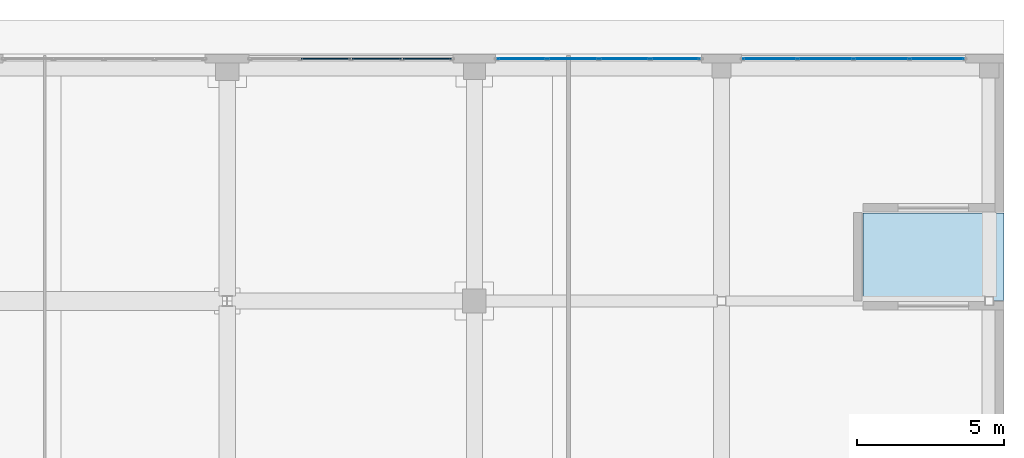
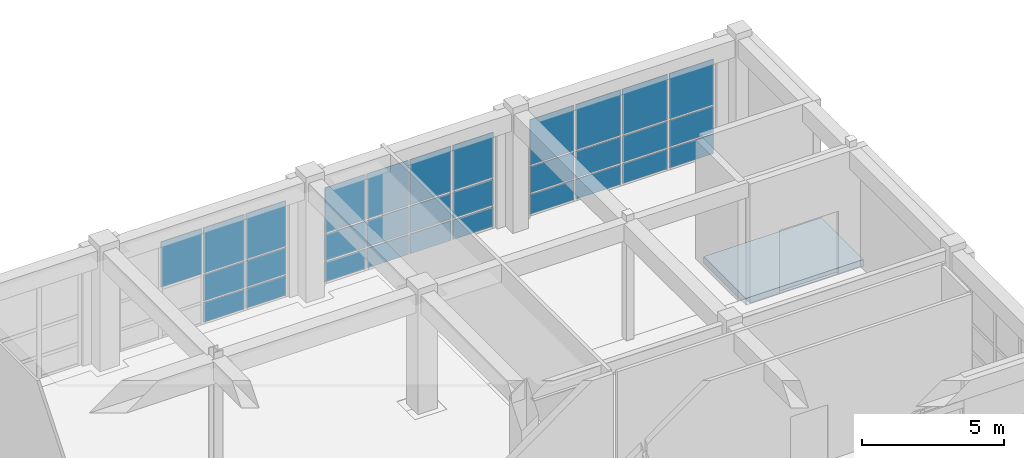
# One storey, part 123 of 148: 31 plates, 1 slab, 3 elements without a shape of their own.
"""IFC4 building model written with IfcOpenShell, lengths in metres."""

from ifc_helpers import new_model, si_unit, direction, frame, origin, origin_2d, place, context, subcontext, project, spatial, polyline, rectangle, outline, extrude, material, layer, layer_set, type_object, element, aggregate, save


model = new_model("IFC4")

# Units and contexts
model_context = context("Model", 3, precision=1e-05, world=origin(), true_north=direction((0.0, 1.0)))
body_context = subcontext(model_context, "Body", "Model", "MODEL_VIEW")
ifc_project = project(units=[si_unit("LENGTHUNIT", "METRE"), si_unit("AREAUNIT", "SQUARE_METRE"), si_unit("VOLUMEUNIT", "CUBIC_METRE"), si_unit("PLANEANGLEUNIT", "RADIAN"), si_unit("MASSUNIT", "GRAM", prefix="KILO")], contexts=[model_context])

# Site, building, storey
site_placement = place(None, origin())
site = spatial("IfcSite", under=ifc_project, at=site_placement, CompositionType="ELEMENT")
building_placement = place(site_placement, origin())
building = spatial("IfcBuilding", under=site, at=building_placement, Name="Quendrovan Civic Courthouse", CompositionType="ELEMENT")
storey_placement = place(building_placement, origin())
storey = spatial("IfcBuildingStorey", under=building, at=storey_placement, Name="L01", CompositionType="ELEMENT", Elevation=0.0)

# Curtain wall, plates
ifc_material_1 = material(Name="Bronze anodised aluminium and low-E glass", Category="aluminium")
ifc_layer_1 = layer(ifc_material_1, 0.179931640625, Name="Bronze anodised aluminium and low-E glass")
ifc_layer_set_1 = layer_set([ifc_layer_1], Name="Bronze anodised aluminium and low-E glass")
curtain_wall_type_1 = type_object("IfcCurtainWallType", Name="CW-U70x42", PredefinedType="USERDEFINED", material=ifc_layer_set_1)
curtain_wall_1_placement = place(storey_placement, origin())
curtain_wall_1 = element("IfcCurtainWall", 1, at=curtain_wall_1_placement, inside=storey, type_object=curtain_wall_type_1, Name="L01 Unitised Hurricane Curtain Wall CW-040", ObjectType="UNITISED CURTAIN WALL", PredefinedType="USERDEFINED")
ifc_material_2 = material(Name="Laminated hurricane-impact low-E glass", Category="glass")
ifc_layer_2 = layer(ifc_material_2, 0.028076171875, Name="Laminated hurricane-impact low-E glass")
ifc_layer_set_2 = layer_set([ifc_layer_2], Name="Laminated hurricane-impact low-E glass")
plate_type_1 = type_object("IfcPlateType", Name="CW-PNL-1", PredefinedType="CURTAIN_PANEL", material=ifc_layer_set_2)
plate_1_placement = place(storey_placement, frame((144.41748046875, 110.235107421875, 0.06982421875), z_axis=(0.0, 0.0, 1.0), x_axis=(1.0, 0.0, 0.0)))
plate_1 = element("IfcPlate", 2, at=plate_1_placement, type_object=plate_type_1, Name="CW-040 panel 1.1", PredefinedType="CURTAIN_PANEL", context=body_context, shape_type="SweptSolid", body=[
    extrude(rectangle(XDim=1.64501953125, YDim=0.028076171875, at=origin_2d()), origin(), (0.0, 0.0, 1.0), 0.844970703125),
])
plate_2_placement = place(storey_placement, frame((144.41748046875, 110.235107421875, 0.985107421875), z_axis=(0.0, 0.0, 1.0), x_axis=(1.0, 0.0, 0.0)))
plate_2 = element("IfcPlate", 3, at=plate_2_placement, type_object=plate_type_1, Name="CW-040 panel 1.2", PredefinedType="CURTAIN_PANEL", context=body_context, shape_type="SweptSolid", body=[
    extrude(rectangle(XDim=1.64501953125, YDim=0.028076171875, at=origin_2d()), origin(), (0.0, 0.0, 1.0), 1.1298828125),
])
plate_3_placement = place(storey_placement, frame((144.41748046875, 110.235107421875, 2.18505859375), z_axis=(0.0, 0.0, 1.0), x_axis=(1.0, 0.0, 0.0)))
plate_3 = element("IfcPlate", 4, at=plate_3_placement, type_object=plate_type_1, Name="CW-040 panel 1.3", PredefinedType="CURTAIN_PANEL", context=body_context, shape_type="SweptSolid", body=[
    extrude(rectangle(XDim=1.64501953125, YDim=0.028076171875, at=origin_2d()), origin(), (0.0, 0.0, 1.0), 1.945068359375),
])
plate_4_placement = place(storey_placement, frame((146.14990234375, 110.235107421875, 0.06982421875), z_axis=(0.0, 0.0, 1.0), x_axis=(1.0, 0.0, 0.0)))
plate_4 = element("IfcPlate", 5, at=plate_4_placement, type_object=plate_type_1, Name="CW-040 panel 2.1", PredefinedType="CURTAIN_PANEL", context=body_context, shape_type="SweptSolid", body=[
    extrude(rectangle(XDim=1.679931640625, YDim=0.028076171875, at=origin_2d()), origin(), (0.0, 0.0, 1.0), 0.844970703125),
])
plate_5_placement = place(storey_placement, frame((146.14990234375, 110.235107421875, 0.985107421875), z_axis=(0.0, 0.0, 1.0), x_axis=(1.0, 0.0, 0.0)))
plate_5 = element("IfcPlate", 6, at=plate_5_placement, type_object=plate_type_1, Name="CW-040 panel 2.2", PredefinedType="CURTAIN_PANEL", context=body_context, shape_type="SweptSolid", body=[
    extrude(rectangle(XDim=1.679931640625, YDim=0.028076171875, at=origin_2d()), origin(), (0.0, 0.0, 1.0), 1.1298828125),
])
plate_6_placement = place(storey_placement, frame((146.14990234375, 110.235107421875, 2.18505859375), z_axis=(0.0, 0.0, 1.0), x_axis=(1.0, 0.0, 0.0)))
plate_6 = element("IfcPlate", 7, at=plate_6_placement, type_object=plate_type_1, Name="CW-040 panel 2.3", PredefinedType="CURTAIN_PANEL", context=body_context, shape_type="SweptSolid", body=[
    extrude(rectangle(XDim=1.679931640625, YDim=0.028076171875, at=origin_2d()), origin(), (0.0, 0.0, 1.0), 1.945068359375),
])
plate_7_placement = place(storey_placement, frame((147.89990234375, 110.235107421875, 0.06982421875), z_axis=(0.0, 0.0, 1.0), x_axis=(1.0, 0.0, 0.0)))
plate_7 = element("IfcPlate", 8, at=plate_7_placement, type_object=plate_type_1, Name="CW-040 panel 3.1", PredefinedType="CURTAIN_PANEL", context=body_context, shape_type="SweptSolid", body=[
    extrude(rectangle(XDim=1.679931640625, YDim=0.028076171875, at=origin_2d()), origin(), (0.0, 0.0, 1.0), 0.844970703125),
])
plate_8_placement = place(storey_placement, frame((147.89990234375, 110.235107421875, 0.985107421875), z_axis=(0.0, 0.0, 1.0), x_axis=(1.0, 0.0, 0.0)))
plate_8 = element("IfcPlate", 9, at=plate_8_placement, type_object=plate_type_1, Name="CW-040 panel 3.2", PredefinedType="CURTAIN_PANEL", context=body_context, shape_type="SweptSolid", body=[
    extrude(rectangle(XDim=1.679931640625, YDim=0.028076171875, at=origin_2d()), origin(), (0.0, 0.0, 1.0), 1.1298828125),
])
plate_9_placement = place(storey_placement, frame((147.89990234375, 110.235107421875, 2.18505859375), z_axis=(0.0, 0.0, 1.0), x_axis=(1.0, 0.0, 0.0)))
plate_9 = element("IfcPlate", 10, at=plate_9_placement, type_object=plate_type_1, Name="CW-040 panel 3.3", PredefinedType="CURTAIN_PANEL", context=body_context, shape_type="SweptSolid", body=[
    extrude(rectangle(XDim=1.679931640625, YDim=0.028076171875, at=origin_2d()), origin(), (0.0, 0.0, 1.0), 1.945068359375),
])
plate_10_placement = place(storey_placement, frame((149.632568359375, 110.235107421875, 0.06982421875), z_axis=(0.0, 0.0, 1.0), x_axis=(1.0, 0.0, 0.0)))
plate_10 = element("IfcPlate", 11, at=plate_10_placement, type_object=plate_type_1, Name="CW-040 panel 4.1", PredefinedType="CURTAIN_PANEL", context=body_context, shape_type="SweptSolid", body=[
    extrude(rectangle(XDim=1.64501953125, YDim=0.028076171875, at=origin_2d()), origin(), (0.0, 0.0, 1.0), 0.844970703125),
])
plate_11_placement = place(storey_placement, frame((149.632568359375, 110.235107421875, 0.985107421875), z_axis=(0.0, 0.0, 1.0), x_axis=(1.0, 0.0, 0.0)))
plate_11 = element("IfcPlate", 12, at=plate_11_placement, type_object=plate_type_1, Name="CW-040 panel 4.2", PredefinedType="CURTAIN_PANEL", context=body_context, shape_type="SweptSolid", body=[
    extrude(rectangle(XDim=1.64501953125, YDim=0.028076171875, at=origin_2d()), origin(), (0.0, 0.0, 1.0), 1.1298828125),
])
plate_12_placement = place(storey_placement, frame((149.632568359375, 110.235107421875, 2.18505859375), z_axis=(0.0, 0.0, 1.0), x_axis=(1.0, 0.0, 0.0)))
plate_12 = element("IfcPlate", 13, at=plate_12_placement, type_object=plate_type_1, Name="CW-040 panel 4.3", PredefinedType="CURTAIN_PANEL", context=body_context, shape_type="SweptSolid", body=[
    extrude(rectangle(XDim=1.64501953125, YDim=0.028076171875, at=origin_2d()), origin(), (0.0, 0.0, 1.0), 1.945068359375),
])
aggregate(curtain_wall_1, [plate_1, plate_2, plate_3, plate_4, plate_5, plate_6, plate_7, plate_8, plate_9, plate_10, plate_11, plate_12])

ifc_layer_3 = layer(ifc_material_1, 0.179931640625, Name="Bronze anodised aluminium and low-E glass")
ifc_layer_set_3 = layer_set([ifc_layer_3], Name="Bronze anodised aluminium and low-E glass")
curtain_wall_type_2 = type_object("IfcCurtainWallType", Name="CW-U76x42", PredefinedType="USERDEFINED", material=ifc_layer_set_3)
curtain_wall_2_placement = place(storey_placement, origin())
curtain_wall_2 = element("IfcCurtainWall", 14, at=curtain_wall_2_placement, inside=storey, type_object=curtain_wall_type_2, Name="L01 Unitised Hurricane Curtain Wall CW-041", ObjectType="UNITISED CURTAIN WALL", PredefinedType="USERDEFINED")
ifc_layer_4 = layer(ifc_material_2, 0.031982421875, Name="Laminated hurricane-impact low-E glass")
ifc_layer_set_4 = layer_set([ifc_layer_4], Name="Laminated hurricane-impact low-E glass")
plate_type_2 = type_object("IfcPlateType", Name="CW-PNL-2", PredefinedType="CURTAIN_PANEL", material=ifc_layer_set_4)
plate_13_placement = place(storey_placement, frame((152.844482421875, 110.235107421875, 0.06494140625), z_axis=(0.0, 0.0, 1.0), x_axis=(1.0, 0.0, 0.0)))
plate_13 = element("IfcPlate", 15, at=plate_13_placement, type_object=plate_type_2, Name="CW-041 panel 1.1", PredefinedType="CURTAIN_PANEL", context=body_context, shape_type="SweptSolid", body=[
    extrude(rectangle(XDim=1.808837890625, YDim=0.031982421875, at=origin_2d()), origin(), (0.0, 0.0, 1.0), 0.8525390625),
])
plate_14_placement = place(storey_placement, frame((152.844482421875, 110.235107421875, 0.982421875), z_axis=(0.0, 0.0, 1.0), x_axis=(1.0, 0.0, 0.0)))
plate_14 = element("IfcPlate", 16, at=plate_14_placement, type_object=plate_type_2, Name="CW-041 panel 1.2", PredefinedType="CURTAIN_PANEL", context=body_context, shape_type="SweptSolid", body=[
    extrude(rectangle(XDim=1.808837890625, YDim=0.031982421875, at=origin_2d()), origin(), (0.0, 0.0, 1.0), 1.135009765625),
])
plate_15_placement = place(storey_placement, frame((152.844482421875, 110.235107421875, 2.1826171875), z_axis=(0.0, 0.0, 1.0), x_axis=(1.0, 0.0, 0.0)))
plate_15 = element("IfcPlate", 17, at=plate_15_placement, type_object=plate_type_2, Name="CW-041 panel 1.3", PredefinedType="CURTAIN_PANEL", context=body_context, shape_type="SweptSolid", body=[
    extrude(rectangle(XDim=1.808837890625, YDim=0.031982421875, at=origin_2d()), origin(), (0.0, 0.0, 1.0), 1.952392578125),
])
plate_16_placement = place(storey_placement, frame((154.734375, 110.235107421875, 0.06494140625), z_axis=(0.0, 0.0, 1.0), x_axis=(1.0, 0.0, 0.0)))
plate_16 = element("IfcPlate", 18, at=plate_16_placement, type_object=plate_type_2, Name="CW-041 panel 2.1", PredefinedType="CURTAIN_PANEL", context=body_context, shape_type="SweptSolid", body=[
    extrude(rectangle(XDim=1.84130859375, YDim=0.031982421875, at=origin_2d()), origin(), (0.0, 0.0, 1.0), 0.8525390625),
])
plate_17_placement = place(storey_placement, frame((154.734375, 110.235107421875, 0.982421875), z_axis=(0.0, 0.0, 1.0), x_axis=(1.0, 0.0, 0.0)))
plate_17 = element("IfcPlate", 19, at=plate_17_placement, type_object=plate_type_2, Name="CW-041 panel 2.2", PredefinedType="CURTAIN_PANEL", context=body_context, shape_type="SweptSolid", body=[
    extrude(rectangle(XDim=1.84130859375, YDim=0.031982421875, at=origin_2d()), origin(), (0.0, 0.0, 1.0), 1.135009765625),
])
plate_18_placement = place(storey_placement, frame((154.734375, 110.235107421875, 2.1826171875), z_axis=(0.0, 0.0, 1.0), x_axis=(1.0, 0.0, 0.0)))
plate_18 = element("IfcPlate", 20, at=plate_18_placement, type_object=plate_type_2, Name="CW-041 panel 2.3", PredefinedType="CURTAIN_PANEL", context=body_context, shape_type="SweptSolid", body=[
    extrude(rectangle(XDim=1.84130859375, YDim=0.031982421875, at=origin_2d()), origin(), (0.0, 0.0, 1.0), 1.952392578125),
])
plate_19_placement = place(storey_placement, frame((156.640625, 110.235107421875, 0.06494140625), z_axis=(0.0, 0.0, 1.0), x_axis=(1.0, 0.0, 0.0)))
plate_19 = element("IfcPlate", 21, at=plate_19_placement, type_object=plate_type_2, Name="CW-041 panel 3.1", PredefinedType="CURTAIN_PANEL", context=body_context, shape_type="SweptSolid", body=[
    extrude(rectangle(XDim=1.84130859375, YDim=0.031982421875, at=origin_2d()), origin(), (0.0, 0.0, 1.0), 0.8525390625),
])
plate_20_placement = place(storey_placement, frame((156.640625, 110.235107421875, 0.982421875), z_axis=(0.0, 0.0, 1.0), x_axis=(1.0, 0.0, 0.0)))
plate_20 = element("IfcPlate", 22, at=plate_20_placement, type_object=plate_type_2, Name="CW-041 panel 3.2", PredefinedType="CURTAIN_PANEL", context=body_context, shape_type="SweptSolid", body=[
    extrude(rectangle(XDim=1.84130859375, YDim=0.031982421875, at=origin_2d()), origin(), (0.0, 0.0, 1.0), 1.135009765625),
])
plate_21_placement = place(storey_placement, frame((156.640625, 110.235107421875, 2.1826171875), z_axis=(0.0, 0.0, 1.0), x_axis=(1.0, 0.0, 0.0)))
plate_21 = element("IfcPlate", 23, at=plate_21_placement, type_object=plate_type_2, Name="CW-041 panel 3.3", PredefinedType="CURTAIN_PANEL", context=body_context, shape_type="SweptSolid", body=[
    extrude(rectangle(XDim=1.84130859375, YDim=0.031982421875, at=origin_2d()), origin(), (0.0, 0.0, 1.0), 1.952392578125),
])
plate_22_placement = place(storey_placement, frame((158.530517578125, 110.235107421875, 0.06494140625), z_axis=(0.0, 0.0, 1.0), x_axis=(1.0, 0.0, 0.0)))
plate_22 = element("IfcPlate", 24, at=plate_22_placement, type_object=plate_type_2, Name="CW-041 panel 4.1", PredefinedType="CURTAIN_PANEL", context=body_context, shape_type="SweptSolid", body=[
    extrude(rectangle(XDim=1.808837890625, YDim=0.031982421875, at=origin_2d()), origin(), (0.0, 0.0, 1.0), 0.8525390625),
])
plate_23_placement = place(storey_placement, frame((158.530517578125, 110.235107421875, 0.982421875), z_axis=(0.0, 0.0, 1.0), x_axis=(1.0, 0.0, 0.0)))
plate_23 = element("IfcPlate", 25, at=plate_23_placement, type_object=plate_type_2, Name="CW-041 panel 4.2", PredefinedType="CURTAIN_PANEL", context=body_context, shape_type="SweptSolid", body=[
    extrude(rectangle(XDim=1.808837890625, YDim=0.031982421875, at=origin_2d()), origin(), (0.0, 0.0, 1.0), 1.135009765625),
])
plate_24_placement = place(storey_placement, frame((158.530517578125, 110.235107421875, 2.1826171875), z_axis=(0.0, 0.0, 1.0), x_axis=(1.0, 0.0, 0.0)))
plate_24 = element("IfcPlate", 26, at=plate_24_placement, type_object=plate_type_2, Name="CW-041 panel 4.3", PredefinedType="CURTAIN_PANEL", context=body_context, shape_type="SweptSolid", body=[
    extrude(rectangle(XDim=1.808837890625, YDim=0.031982421875, at=origin_2d()), origin(), (0.0, 0.0, 1.0), 1.952392578125),
])
aggregate(curtain_wall_2, [plate_13, plate_14, plate_15, plate_16, plate_17, plate_18, plate_19, plate_20, plate_21, plate_22, plate_23, plate_24])

ifc_layer_5 = layer(ifc_material_1, 0.179931640625, Name="Bronze anodised aluminium and low-E glass")
ifc_layer_set_5 = layer_set([ifc_layer_5], Name="Bronze anodised aluminium and low-E glass")
curtain_wall_type_3 = type_object("IfcCurtainWallType", Name="CW-U69x42", PredefinedType="USERDEFINED", material=ifc_layer_set_5)
curtain_wall_3_placement = place(storey_placement, origin())
curtain_wall_3 = element("IfcCurtainWall", 27, at=curtain_wall_3_placement, inside=storey, type_object=curtain_wall_type_3, Name="L01 Unitised Hurricane Curtain Wall CW-039", ObjectType="UNITISED CURTAIN WALL", PredefinedType="USERDEFINED")
ifc_layer_6 = layer(ifc_material_2, 0.0419921875, Name="Laminated hurricane-impact low-E glass")
ifc_layer_set_6 = layer_set([ifc_layer_6], Name="Laminated hurricane-impact low-E glass")
plate_type_3 = type_object("IfcPlateType", Name="CW-PNL-4", PredefinedType="CURTAIN_PANEL", material=ifc_layer_set_6)
plate_25_placement = place(storey_placement, frame((137.746826171875, 110.235107421875, 2.1826171875), z_axis=(0.0, 0.0, 1.0), x_axis=(1.0, 0.0, 0.0)))
plate_25 = element("IfcPlate", 28, at=plate_25_placement, type_object=plate_type_3, Name="CW-039 panel 2.3", PredefinedType="CURTAIN_PANEL", context=body_context, shape_type="SweptSolid", body=[
    extrude(rectangle(XDim=1.666259765625, YDim=0.0419921875, at=origin_2d()), origin(), (0.0, 0.0, 1.0), 1.952392578125),
])
plate_26_placement = place(storey_placement, frame((139.47802734375, 110.235107421875, 0.06494140625), z_axis=(0.0, 0.0, 1.0), x_axis=(1.0, 0.0, 0.0)))
plate_26 = element("IfcPlate", 29, at=plate_26_placement, type_object=plate_type_3, Name="CW-039 panel 3.1", PredefinedType="CURTAIN_PANEL", context=body_context, shape_type="SweptSolid", body=[
    extrude(rectangle(XDim=1.666259765625, YDim=0.0419921875, at=origin_2d()), origin(), (0.0, 0.0, 1.0), 0.8525390625),
])
plate_27_placement = place(storey_placement, frame((139.47802734375, 110.235107421875, 0.982421875), z_axis=(0.0, 0.0, 1.0), x_axis=(1.0, 0.0, 0.0)))
plate_27 = element("IfcPlate", 30, at=plate_27_placement, type_object=plate_type_3, Name="CW-039 panel 3.2", PredefinedType="CURTAIN_PANEL", context=body_context, shape_type="SweptSolid", body=[
    extrude(rectangle(XDim=1.666259765625, YDim=0.0419921875, at=origin_2d()), origin(), (0.0, 0.0, 1.0), 1.135009765625),
])
plate_28_placement = place(storey_placement, frame((139.47802734375, 110.235107421875, 2.1826171875), z_axis=(0.0, 0.0, 1.0), x_axis=(1.0, 0.0, 0.0)))
plate_28 = element("IfcPlate", 31, at=plate_28_placement, type_object=plate_type_3, Name="CW-039 panel 3.3", PredefinedType="CURTAIN_PANEL", context=body_context, shape_type="SweptSolid", body=[
    extrude(rectangle(XDim=1.666259765625, YDim=0.0419921875, at=origin_2d()), origin(), (0.0, 0.0, 1.0), 1.952392578125),
])
plate_29_placement = place(storey_placement, frame((141.193115234375, 110.235107421875, 0.06494140625), z_axis=(0.0, 0.0, 1.0), x_axis=(1.0, 0.0, 0.0)))
plate_29 = element("IfcPlate", 32, at=plate_29_placement, type_object=plate_type_3, Name="CW-039 panel 4.1", PredefinedType="CURTAIN_PANEL", context=body_context, shape_type="SweptSolid", body=[
    extrude(rectangle(XDim=1.6337890625, YDim=0.0419921875, at=origin_2d()), origin(), (0.0, 0.0, 1.0), 0.8525390625),
])
plate_30_placement = place(storey_placement, frame((141.193115234375, 110.235107421875, 0.982421875), z_axis=(0.0, 0.0, 1.0), x_axis=(1.0, 0.0, 0.0)))
plate_30 = element("IfcPlate", 33, at=plate_30_placement, type_object=plate_type_3, Name="CW-039 panel 4.2", PredefinedType="CURTAIN_PANEL", context=body_context, shape_type="SweptSolid", body=[
    extrude(rectangle(XDim=1.6337890625, YDim=0.0419921875, at=origin_2d()), origin(), (0.0, 0.0, 1.0), 1.135009765625),
])
plate_31_placement = place(storey_placement, frame((141.193115234375, 110.235107421875, 2.1826171875), z_axis=(0.0, 0.0, 1.0), x_axis=(1.0, 0.0, 0.0)))
plate_31 = element("IfcPlate", 34, at=plate_31_placement, type_object=plate_type_3, Name="CW-039 panel 4.3", PredefinedType="CURTAIN_PANEL", context=body_context, shape_type="SweptSolid", body=[
    extrude(rectangle(XDim=1.6337890625, YDim=0.0419921875, at=origin_2d()), origin(), (0.0, 0.0, 1.0), 1.952392578125),
])
aggregate(curtain_wall_3, [plate_25, plate_26, plate_27, plate_28, plate_29, plate_30, plate_31])

# Slab
ifc_material_3 = material(Name="Concrete C35/45", Category="concrete")
ifc_layer_7 = layer(ifc_material_3, 0.300048828125, Name="Concrete C35/45")
ifc_layer_set_7 = layer_set([ifc_layer_7], Name="Concrete C35/45")
slab_type = type_object("IfcSlabType", Name="SLB-BASE-300", PredefinedType="BASESLAB", material=ifc_layer_set_7)
slab_placement = place(storey_placement, frame((0.0, 0.0, -0.300048828125)))
element("IfcSlab", 35, at=slab_placement, inside=storey, type_object=slab_type, Name="L01 Civic Courtyard and Colonnade Plaza Slab 2", PredefinedType="BASESLAB", context=body_context, shape_type="SweptSolid", body=[
    extrude(outline(polyline([(156.010009765625, 102.010009765625), (156.010009765625, 104.989990234375), (160.800048828125, 104.989990234375), (160.800048828125, 102.010009765625), (156.010009765625, 102.010009765625)])), origin(), (0.0, 0.0, 1.0), 0.300048828125),
])

save(model, "model.ifc")
